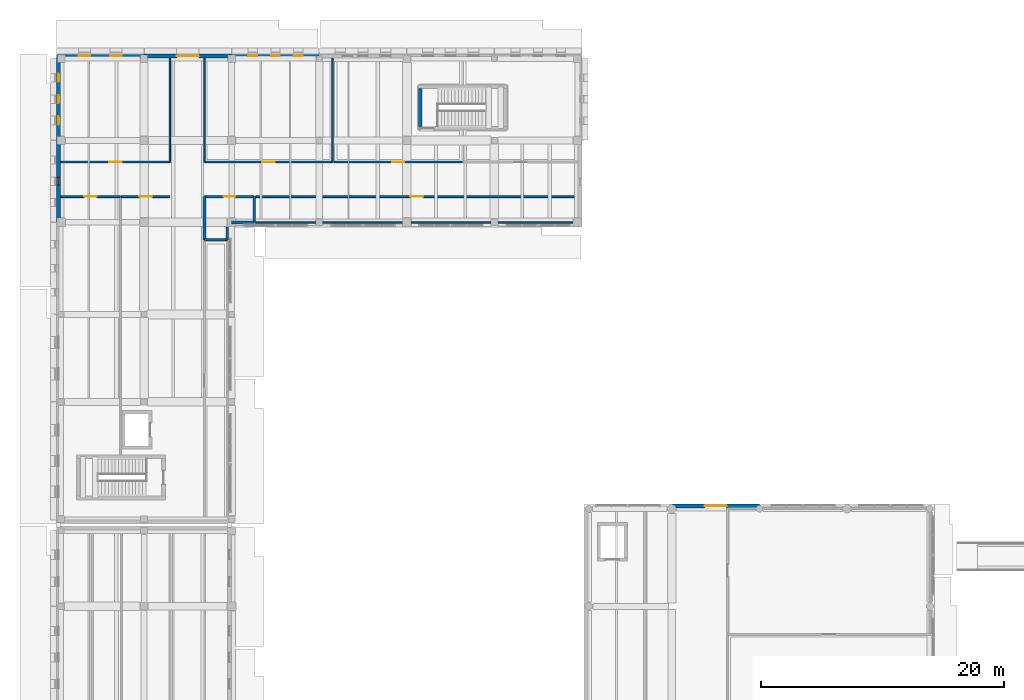
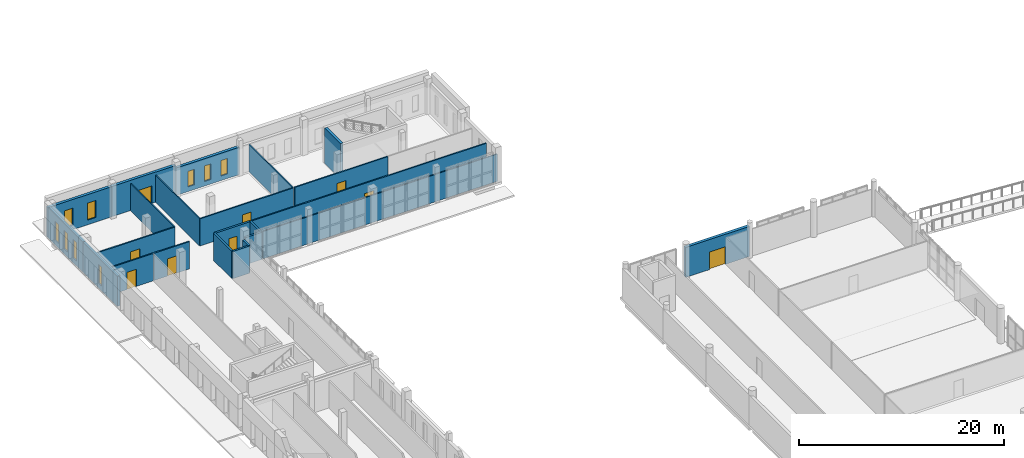
# One storey, part 57 of 77: 23 walls, 9 doors, 9 windows, 18 openings.
"""IFC4 building model written with IfcOpenShell, lengths in metres."""

from ifc_helpers import new_model, si_unit, direction, frame, frame_2d, origin, place, context, subcontext, project, spatial, rectangle, extrude, material, layer, layer_set, type_object, element, fill, save


model = new_model("IFC4")

# Units and contexts
model_context = context("Model", 3, precision=1e-05, world=origin(), true_north=direction((0.0, 1.0)))
body_context = subcontext(model_context, "Body", "Model", "MODEL_VIEW")
ifc_project = project(units=[si_unit("LENGTHUNIT", "METRE"), si_unit("AREAUNIT", "SQUARE_METRE"), si_unit("VOLUMEUNIT", "CUBIC_METRE"), si_unit("PLANEANGLEUNIT", "RADIAN"), si_unit("MASSUNIT", "GRAM", prefix="KILO")], contexts=[model_context])

# Site, building, storey
site_placement = place(None, origin())
site = spatial("IfcSite", under=ifc_project, at=site_placement, CompositionType="ELEMENT")
building_placement = place(site_placement, origin())
building = spatial("IfcBuilding", under=site, at=building_placement, Name="Vardoun Plaza Health Centre", CompositionType="ELEMENT")
storey_placement = place(building_placement, origin())
storey = spatial("IfcBuildingStorey", under=building, at=storey_placement, Name="L00", CompositionType="ELEMENT", Elevation=0.0)

# Wall
ifc_material_1 = material(Name="Concrete C40/50", Category="concrete")
ifc_layer_1 = layer(ifc_material_1, 0.300048828125)
ifc_layer_set_1 = layer_set([ifc_layer_1], Name="Concrete C40/50")
wall_type_1 = type_object("IfcWallType", Name="SW-01", PredefinedType="SHEAR", material=ifc_layer_set_1)
wall_1_placement = place(storey_placement, frame((34.39990234375, 109.35009765625, 0.0), z_axis=(0.0, 0.0, 1.0), x_axis=(0.0, 1.0, 0.0)))
element("IfcWall", 1, at=wall_1_placement, inside=storey, type_object=wall_type_1, Name="Core C4 L00 Shear Wall W", PredefinedType="SHEAR", context=body_context, shape_type="SweptSolid", body=[
    extrude(rectangle(XDim=3.099853515625, YDim=0.300048828125, at=frame_2d((1.5498046875, 0.0))), origin(), (0.0, 0.0, 1.0), 4.235107421875),
])

# Wall, openings, windows
ifc_material_2 = material(Name="Pale Limestone Concrete C35/45", Category="masonry")
ifc_layer_2 = layer(ifc_material_2, 0.31494140625)
ifc_layer_set_2 = layer_set([ifc_layer_2], Name="Pale Limestone Concrete C35/45")
wall_type_2 = type_object("IfcWallType", Name="EW-03", PredefinedType="SOLIDWALL", material=ifc_layer_set_2)
wall_2_placement = place(storey_placement, frame((4.5, 115.142578125, 0.0), z_axis=(0.0, 0.0, 1.0), x_axis=(1.0, 0.0, 0.0)))
wall_2 = element("IfcWall", 2, at=wall_2_placement, inside=storey, type_object=wall_type_2, Name="V3 L00 Exterior Wall EW-V3-244", PredefinedType="SOLIDWALL", context=body_context, shape_type="SweptSolid", body=[
    extrude(rectangle(XDim=7.199951171875, YDim=0.31494140625, at=frame_2d((3.60009765625, 0.0))), origin(), (0.0, 0.0, 1.0), 3.60009765625),
])
opening_1_placement = place(wall_2_placement, frame((1.8291015625, 0.0, 0.550048828125)))
opening_1 = element("IfcOpeningElement", 3, at=opening_1_placement, cuts=wall_2, Name="Opening W-36-002", PredefinedType="OPENING", context=body_context, shape_type="SweptSolid", body=[
    extrude(rectangle(XDim=0.949951171875, YDim=2.02001953125, at=frame_2d((0.47509765625, 1.010009765625))), frame((0.0, 0.157470703125, 0.0), z_axis=(0.0, -1.0, 0.0), x_axis=(1.0, 0.0, 0.0)), (0.0, 0.0, 1.0), 0.31494140625),
])
opening_2_placement = place(wall_2_placement, frame((4.4208984375, 0.0, 0.550048828125)))
opening_2 = element("IfcOpeningElement", 4, at=opening_2_placement, cuts=wall_2, Name="Opening W-36-003", PredefinedType="OPENING", context=body_context, shape_type="SweptSolid", body=[
    extrude(rectangle(XDim=0.949951171875, YDim=2.02001953125, at=frame_2d((0.47509765625, 1.010009765625))), frame((0.0, 0.157470703125, 0.0), z_axis=(0.0, -1.0, 0.0), x_axis=(1.0, 0.0, 0.0)), (0.0, 0.0, 1.0), 0.31494140625),
])
ifc_material_3 = material(Name="Aluminium Alloy EN AW-6063-T6 and Low-E Glass", Category="aluminium")
window_type_1 = type_object("IfcWindowType", Name="W-36", PartitioningType="DOUBLE_PANEL_VERTICAL", PredefinedType="WINDOW", material=ifc_material_3)
window_1_placement = place(opening_1_placement, origin())
window_1 = element("IfcWindow", 5, at=window_1_placement, inside=storey, type_object=window_type_1, Name="V3 L00 Deep-Punched Slot Window W-36-354", OverallHeight=2.02001953125, OverallWidth=0.949951171875, PartitioningType="DOUBLE_PANEL_VERTICAL", PredefinedType="WINDOW", context=body_context, shape_type="SweptSolid", body=[
    extrude(rectangle(XDim=0.949951171875, YDim=2.02001953125, at=frame_2d((0.47509765625, 1.010009765625))), frame((0.0, 0.030029296875, 0.0), z_axis=(0.0, -1.0, 0.0), x_axis=(1.0, 0.0, 0.0)), (0.0, 0.0, 1.0), 0.06005859375),
])
fill(opening_1, window_1)
window_2_placement = place(opening_2_placement, origin())
window_2 = element("IfcWindow", 6, at=window_2_placement, inside=storey, type_object=window_type_1, Name="V3 L00 Deep-Punched Slot Window W-36-355", OverallHeight=2.02001953125, OverallWidth=0.949951171875, PartitioningType="DOUBLE_PANEL_VERTICAL", PredefinedType="WINDOW", context=body_context, shape_type="SweptSolid", body=[
    extrude(rectangle(XDim=0.949951171875, YDim=2.02001953125, at=frame_2d((0.47509765625, 1.010009765625))), frame((0.0, 0.030029296875, 0.0), z_axis=(0.0, -1.0, 0.0), x_axis=(1.0, 0.0, 0.0)), (0.0, 0.0, 1.0), 0.06005859375),
])
fill(opening_2, window_2)

# Wall, opening, door
wall_3_placement = place(storey_placement, frame((11.699951171875, 115.142578125, 0.0), z_axis=(0.0, 0.0, 1.0), x_axis=(1.0, 0.0, 0.0)))
wall_3 = element("IfcWall", 7, at=wall_3_placement, inside=storey, type_object=wall_type_2, Name="V3 L00 Exterior Wall EW-V3-245", PredefinedType="SOLIDWALL", context=body_context, shape_type="SweptSolid", body=[
    extrude(rectangle(XDim=7.199951171875, YDim=0.31494140625, at=frame_2d((3.60009765625, 0.0))), origin(), (0.0, 0.0, 1.0), 3.60009765625),
])
opening_3_placement = place(wall_3_placement, frame((2.699951171875, 0.0, 0.0)))
opening_3 = element("IfcOpeningElement", 8, at=opening_3_placement, cuts=wall_3, Name="Opening D-00-E05", PredefinedType="OPENING", context=body_context, shape_type="SweptSolid", body=[
    extrude(rectangle(XDim=1.800048828125, YDim=2.10009765625, at=frame_2d((0.89990234375, 1.050048828125))), frame((0.0, 0.157470703125, 0.0), z_axis=(0.0, -1.0, 0.0), x_axis=(1.0, 0.0, 0.0)), (0.0, 0.0, 1.0), 0.31494140625),
])
ifc_material_4 = material(Name="Aluminium Alloy EN AW-6063-T6 Glazed Exit Door", Category="aluminium")
door_type_1 = type_object("IfcDoorType", Name="ED-01", OperationType="DOUBLE_DOOR_SINGLE_SWING", PredefinedType="DOOR", material=ifc_material_4)
door_1_placement = place(opening_3_placement, origin())
door_1 = element("IfcDoor", 9, at=door_1_placement, inside=storey, type_object=door_type_1, Name="V3 Ground Final Exit Door D-00-E05", OperationType="DOUBLE_DOOR_SINGLE_SWING", OverallHeight=2.10009765625, OverallWidth=1.800048828125, PredefinedType="DOOR", context=body_context, shape_type="SweptSolid", body=[
    extrude(rectangle(XDim=1.800048828125, YDim=2.10009765625, at=frame_2d((0.89990234375, 1.050048828125))), frame((0.0, 0.02490234375, 0.0), z_axis=(0.0, -1.0, 0.0), x_axis=(1.0, 0.0, 0.0)), (0.0, 0.0, 1.0), 0.050048828125),
])
fill(opening_3, door_1)

# Wall, openings, windows
wall_4_placement = place(storey_placement, frame((18.89990234375, 115.142578125, 0.0), z_axis=(0.0, 0.0, 1.0), x_axis=(1.0, 0.0, 0.0)))
wall_4 = element("IfcWall", 10, at=wall_4_placement, inside=storey, type_object=wall_type_2, Name="V3 L00 Exterior Wall EW-V3-246", PredefinedType="SOLIDWALL", context=body_context, shape_type="SweptSolid", body=[
    extrude(rectangle(XDim=7.2001953125, YDim=0.31494140625, at=frame_2d((3.60009765625, 0.0))), origin(), (0.0, 0.0, 1.0), 3.27001953125),
])
opening_4_placement = place(wall_4_placement, frame((1.367919921875, 0.0, 0.550048828125)))
opening_4 = element("IfcOpeningElement", 11, at=opening_4_placement, cuts=wall_4, Name="Opening W-26-014", PredefinedType="OPENING", context=body_context, shape_type="SweptSolid", body=[
    extrude(rectangle(XDim=0.719970703125, YDim=1.85009765625, at=frame_2d((0.35986328125, 0.925048828125))), frame((0.0, 0.157470703125, 0.0), z_axis=(0.0, -1.0, 0.0), x_axis=(1.0, 0.0, 0.0)), (0.0, 0.0, 1.0), 0.31494140625),
])
opening_5_placement = place(wall_4_placement, frame((3.239990234375, 0.0, 0.550048828125)))
opening_5 = element("IfcOpeningElement", 12, at=opening_5_placement, cuts=wall_4, Name="Opening W-26-015", PredefinedType="OPENING", context=body_context, shape_type="SweptSolid", body=[
    extrude(rectangle(XDim=0.719970703125, YDim=1.85009765625, at=frame_2d((0.35986328125, 0.925048828125))), frame((0.0, 0.157470703125, 0.0), z_axis=(0.0, -1.0, 0.0), x_axis=(1.0, 0.0, 0.0)), (0.0, 0.0, 1.0), 0.31494140625),
])
opening_6_placement = place(wall_4_placement, frame((5.112060546875, 0.0, 0.550048828125)))
opening_6 = element("IfcOpeningElement", 13, at=opening_6_placement, cuts=wall_4, Name="Opening W-26-016", PredefinedType="OPENING", context=body_context, shape_type="SweptSolid", body=[
    extrude(rectangle(XDim=0.719970703125, YDim=1.85009765625, at=frame_2d((0.35986328125, 0.925048828125))), frame((0.0, 0.157470703125, 0.0), z_axis=(0.0, -1.0, 0.0), x_axis=(1.0, 0.0, 0.0)), (0.0, 0.0, 1.0), 0.31494140625),
])
ifc_material_5 = material(Name="Aluminium Alloy EN AW-6063-T6 and Low-E Glass", Category="aluminium")
window_type_2 = type_object("IfcWindowType", Name="W-26", PartitioningType="SINGLE_PANEL", PredefinedType="WINDOW", material=ifc_material_5)
window_3_placement = place(opening_4_placement, origin())
window_3 = element("IfcWindow", 14, at=window_3_placement, inside=storey, type_object=window_type_2, Name="V3 L00 Deep-Punched Slot Window W-26-356", OverallHeight=1.85009765625, OverallWidth=0.719970703125, PartitioningType="SINGLE_PANEL", PredefinedType="WINDOW", context=body_context, shape_type="SweptSolid", body=[
    extrude(rectangle(XDim=0.719970703125, YDim=1.85009765625, at=frame_2d((0.35986328125, 0.925048828125))), frame((0.0, 0.030029296875, 0.0), z_axis=(0.0, -1.0, 0.0), x_axis=(1.0, 0.0, 0.0)), (0.0, 0.0, 1.0), 0.06005859375),
])
fill(opening_4, window_3)
window_4_placement = place(opening_5_placement, origin())
window_4 = element("IfcWindow", 15, at=window_4_placement, inside=storey, type_object=window_type_2, Name="V3 L00 Deep-Punched Slot Window W-26-357", OverallHeight=1.85009765625, OverallWidth=0.719970703125, PartitioningType="SINGLE_PANEL", PredefinedType="WINDOW", context=body_context, shape_type="SweptSolid", body=[
    extrude(rectangle(XDim=0.719970703125, YDim=1.85009765625, at=frame_2d((0.35986328125, 0.925048828125))), frame((0.0, 0.030029296875, 0.0), z_axis=(0.0, -1.0, 0.0), x_axis=(1.0, 0.0, 0.0)), (0.0, 0.0, 1.0), 0.06005859375),
])
fill(opening_5, window_4)
window_5_placement = place(opening_6_placement, origin())
window_5 = element("IfcWindow", 16, at=window_5_placement, inside=storey, type_object=window_type_2, Name="V3 L00 Deep-Punched Slot Window W-26-358", OverallHeight=1.85009765625, OverallWidth=0.719970703125, PartitioningType="SINGLE_PANEL", PredefinedType="WINDOW", context=body_context, shape_type="SweptSolid", body=[
    extrude(rectangle(XDim=0.719970703125, YDim=1.85009765625, at=frame_2d((0.35986328125, 0.925048828125))), frame((0.0, 0.030029296875, 0.0), z_axis=(0.0, -1.0, 0.0), x_axis=(1.0, 0.0, 0.0)), (0.0, 0.0, 1.0), 0.06005859375),
])
fill(opening_6, window_5)

# Wall, opening, window
wall_5_placement = place(storey_placement, frame((4.657470703125, 101.47998046875, 0.0), z_axis=(0.0, 0.0, 1.0), x_axis=(0.0, 1.0, 0.0)))
wall_5 = element("IfcWall", 17, at=wall_5_placement, inside=storey, type_object=wall_type_2, Name="V3 L00 Exterior Wall EW-V3-257", PredefinedType="SOLIDWALL", context=body_context, shape_type="SweptSolid", body=[
    extrude(rectangle(XDim=6.719970703125, YDim=0.31494140625, at=frame_2d((3.35986328125, 0.0))), origin(), (0.0, 0.0, 1.0), 3.60009765625),
])
opening_7_placement = place(wall_5_placement, frame((3.0400390625, 0.0, 0.550048828125)))
opening_7 = element("IfcOpeningElement", 18, at=opening_7_placement, cuts=wall_5, Name="Opening W-12-006", PredefinedType="OPENING", context=body_context, shape_type="SweptSolid", body=[
    extrude(rectangle(XDim=0.639892578125, YDim=2.280029296875, at=frame_2d((0.31982421875, 1.14013671875))), frame((0.0, 0.157470703125, 0.0), z_axis=(0.0, -1.0, 0.0), x_axis=(1.0, 0.0, 0.0)), (0.0, 0.0, 1.0), 0.31494140625),
])
ifc_material_6 = material(Name="Aluminium Alloy EN AW-6063-T6 and Low-E Glass", Category="aluminium")
window_type_3 = type_object("IfcWindowType", Name="W-12", PartitioningType="SINGLE_PANEL", PredefinedType="WINDOW", material=ifc_material_6)
window_6_placement = place(opening_7_placement, origin())
window_6 = element("IfcWindow", 19, at=window_6_placement, inside=storey, type_object=window_type_3, Name="V3 L00 Deep-Punched Slot Window W-12-383", OverallHeight=2.280029296875, OverallWidth=0.639892578125, PartitioningType="SINGLE_PANEL", PredefinedType="WINDOW", context=body_context, shape_type="SweptSolid", body=[
    extrude(rectangle(XDim=0.639892578125, YDim=2.280029296875, at=frame_2d((0.31982421875, 1.14013671875))), frame((0.0, 0.030029296875, 0.0), z_axis=(0.0, -1.0, 0.0), x_axis=(1.0, 0.0, 0.0)), (0.0, 0.0, 1.0), 0.06005859375),
])
fill(opening_7, window_6)

# Wall, openings, windows
wall_6_placement = place(storey_placement, frame((4.657470703125, 108.199951171875, 0.0), z_axis=(0.0, 0.0, 1.0), x_axis=(0.0, 1.0, 0.0)))
wall_6 = element("IfcWall", 20, at=wall_6_placement, inside=storey, type_object=wall_type_2, Name="V3 L00 Exterior Wall EW-V3-258", PredefinedType="SOLIDWALL", context=body_context, shape_type="SweptSolid", body=[
    extrude(rectangle(XDim=6.78515625, YDim=0.31494140625, at=frame_2d((3.392578125, 0.0))), origin(), (0.0, 0.0, 1.0), 3.6201171875),
])
opening_8_placement = place(wall_6_placement, frame((1.288330078125, 0.0, 0.550048828125)))
opening_8 = element("IfcOpeningElement", 21, at=opening_8_placement, cuts=wall_6, Name="Opening W-13-006", PredefinedType="OPENING", context=body_context, shape_type="SweptSolid", body=[
    extrude(rectangle(XDim=0.679931640625, YDim=2.219970703125, at=frame_2d((0.33984375, 1.10986328125))), frame((0.0, 0.157470703125, 0.0), z_axis=(0.0, -1.0, 0.0), x_axis=(1.0, 0.0, 0.0)), (0.0, 0.0, 1.0), 0.31494140625),
])
opening_9_placement = place(wall_6_placement, frame((3.052490234375, 0.0, 0.550048828125)))
opening_9 = element("IfcOpeningElement", 22, at=opening_9_placement, cuts=wall_6, Name="Opening W-13-007", PredefinedType="OPENING", context=body_context, shape_type="SweptSolid", body=[
    extrude(rectangle(XDim=0.679931640625, YDim=2.219970703125, at=frame_2d((0.33984375, 1.10986328125))), frame((0.0, 0.157470703125, 0.0), z_axis=(0.0, -1.0, 0.0), x_axis=(1.0, 0.0, 0.0)), (0.0, 0.0, 1.0), 0.31494140625),
])
opening_10_placement = place(wall_6_placement, frame((4.816650390625, 0.0, 0.550048828125)))
opening_10 = element("IfcOpeningElement", 23, at=opening_10_placement, cuts=wall_6, Name="Opening W-13-008", PredefinedType="OPENING", context=body_context, shape_type="SweptSolid", body=[
    extrude(rectangle(XDim=0.679931640625, YDim=2.219970703125, at=frame_2d((0.33984375, 1.10986328125))), frame((0.0, 0.157470703125, 0.0), z_axis=(0.0, -1.0, 0.0), x_axis=(1.0, 0.0, 0.0)), (0.0, 0.0, 1.0), 0.31494140625),
])
ifc_material_7 = material(Name="Aluminium Alloy EN AW-6063-T6 and Low-E Glass", Category="aluminium")
window_type_4 = type_object("IfcWindowType", Name="W-13", PartitioningType="SINGLE_PANEL", PredefinedType="WINDOW", material=ifc_material_7)
window_7_placement = place(opening_8_placement, origin())
window_7 = element("IfcWindow", 24, at=window_7_placement, inside=storey, type_object=window_type_4, Name="V3 L00 Deep-Punched Slot Window W-13-385", OverallHeight=2.219970703125, OverallWidth=0.679931640625, PartitioningType="SINGLE_PANEL", PredefinedType="WINDOW", context=body_context, shape_type="SweptSolid", body=[
    extrude(rectangle(XDim=0.679931640625, YDim=2.219970703125, at=frame_2d((0.33984375, 1.10986328125))), frame((0.0, 0.030029296875, 0.0), z_axis=(0.0, -1.0, 0.0), x_axis=(1.0, 0.0, 0.0)), (0.0, 0.0, 1.0), 0.06005859375),
])
fill(opening_8, window_7)
window_8_placement = place(opening_9_placement, origin())
window_8 = element("IfcWindow", 25, at=window_8_placement, inside=storey, type_object=window_type_4, Name="V3 L00 Deep-Punched Slot Window W-13-386", OverallHeight=2.219970703125, OverallWidth=0.679931640625, PartitioningType="SINGLE_PANEL", PredefinedType="WINDOW", context=body_context, shape_type="SweptSolid", body=[
    extrude(rectangle(XDim=0.679931640625, YDim=2.219970703125, at=frame_2d((0.33984375, 1.10986328125))), frame((0.0, 0.030029296875, 0.0), z_axis=(0.0, -1.0, 0.0), x_axis=(1.0, 0.0, 0.0)), (0.0, 0.0, 1.0), 0.06005859375),
])
fill(opening_9, window_8)
window_9_placement = place(opening_10_placement, origin())
window_9 = element("IfcWindow", 26, at=window_9_placement, inside=storey, type_object=window_type_4, Name="V3 L00 Deep-Punched Slot Window W-13-387", OverallHeight=2.219970703125, OverallWidth=0.679931640625, PartitioningType="SINGLE_PANEL", PredefinedType="WINDOW", context=body_context, shape_type="SweptSolid", body=[
    extrude(rectangle(XDim=0.679931640625, YDim=2.219970703125, at=frame_2d((0.33984375, 1.10986328125))), frame((0.0, 0.030029296875, 0.0), z_axis=(0.0, -1.0, 0.0), x_axis=(1.0, 0.0, 0.0)), (0.0, 0.0, 1.0), 0.06005859375),
])
fill(opening_10, window_9)

# Wall, opening, door
ifc_material_8 = material(Name="Pale Limestone Concrete C35/45", Category="masonry")
ifc_layer_3 = layer(ifc_material_8, 0.330078125)
ifc_layer_set_3 = layer_set([ifc_layer_3], Name="Pale Limestone Concrete C35/45")
wall_type_3 = type_object("IfcWallType", Name="EW-02", PredefinedType="SOLIDWALL", material=ifc_layer_set_3)
wall_7_placement = place(storey_placement, frame((55.080078125, 78.135009765625, 0.0), z_axis=(0.0, 0.0, 1.0), x_axis=(1.0, 0.0, 0.0)))
wall_7 = element("IfcWall", 27, at=wall_7_placement, inside=storey, type_object=wall_type_3, Name="V1 L00 Exterior Wall EW-V1-019", PredefinedType="SOLIDWALL", context=body_context, shape_type="SweptSolid", body=[
    extrude(rectangle(XDim=7.199951171875, YDim=0.330078125, at=frame_2d((3.60009765625, 0.0))), origin(), (0.0, 0.0, 1.0), 3.5849609375),
])
opening_11_placement = place(wall_7_placement, frame((2.699951171875, 0.0, 0.0)))
opening_11 = element("IfcOpeningElement", 28, at=opening_11_placement, cuts=wall_7, Name="Opening D-00-E01", PredefinedType="OPENING", context=body_context, shape_type="SweptSolid", body=[
    extrude(rectangle(XDim=1.800048828125, YDim=2.10009765625, at=frame_2d((0.89990234375, 1.050048828125))), frame((0.0, 0.1650390625, 0.0), z_axis=(0.0, -1.0, 0.0), x_axis=(1.0, 0.0, 0.0)), (0.0, 0.0, 1.0), 0.330078125),
])
door_2_placement = place(opening_11_placement, origin())
door_2 = element("IfcDoor", 29, at=door_2_placement, inside=storey, type_object=door_type_1, Name="V1 Ground Final Exit Door D-00-E01", OperationType="DOUBLE_DOOR_SINGLE_SWING", OverallHeight=2.10009765625, OverallWidth=1.800048828125, PredefinedType="DOOR", context=body_context, shape_type="SweptSolid", body=[
    extrude(rectangle(XDim=1.800048828125, YDim=2.10009765625, at=frame_2d((0.89990234375, 1.050048828125))), frame((0.0, 0.02490234375, 0.0), z_axis=(0.0, -1.0, 0.0), x_axis=(1.0, 0.0, 0.0)), (0.0, 0.0, 1.0), 0.050048828125),
])
fill(opening_11, door_2)

ifc_material_9 = material(Name="Acoustic Gypsum Twin-Stud", Category="steel")
ifc_layer_4 = layer(ifc_material_9, 0.14990234375)
ifc_layer_set_4 = layer_set([ifc_layer_4], Name="Acoustic Gypsum Twin-Stud")
wall_type_4 = type_object("IfcWallType", Name="IW-04", PredefinedType="PARTITIONING", material=ifc_layer_set_4)
wall_8_placement = place(storey_placement, frame((4.85009765625, 103.580078125, 0.0), z_axis=(0.0, 0.0, 1.0), x_axis=(1.0, 0.0, 0.0)))
wall_8 = element("IfcWall", 30, at=wall_8_placement, inside=storey, type_object=wall_type_4, Name="Paediatric Consulting Room 01 Partition Wall", PredefinedType="PARTITIONING", context=body_context, shape_type="SweptSolid", body=[
    extrude(rectangle(XDim=4.909912109375, YDim=0.14990234375, at=frame_2d((2.455078125, 0.0))), origin(), (0.0, 0.0, 1.0), 3.2548828125),
])
opening_12_placement = place(wall_8_placement, frame((1.93505859375, 0.0, 0.0)))
opening_12 = element("IfcOpeningElement", 31, at=opening_12_placement, cuts=wall_8, Name="Opening D-L00-080", PredefinedType="OPENING", context=body_context, shape_type="SweptSolid", body=[
    extrude(rectangle(XDim=1.0400390625, YDim=2.050048828125, at=frame_2d((0.52001953125, 1.02490234375))), frame((0.0, 0.074951171875, 0.0), z_axis=(0.0, -1.0, 0.0), x_axis=(1.0, 0.0, 0.0)), (0.0, 0.0, 1.0), 0.14990234375),
])
ifc_material_10 = material(Name="Antimicrobial Acoustic Timber and Steel S275JR", Category="steel")
door_type_2 = type_object("IfcDoorType", Name="CD-04", OperationType="NOTDEFINED", PredefinedType="DOOR", material=ifc_material_10)
door_3_placement = place(opening_12_placement, origin())
door_3 = element("IfcDoor", 32, at=door_3_placement, inside=storey, type_object=door_type_2, Name="Paediatric Consulting Room 01 Door D-L00-080", OperationType="SINGLE_SWING_RIGHT", OverallHeight=2.050048828125, OverallWidth=1.0400390625, PredefinedType="DOOR", context=body_context, shape_type="SweptSolid", body=[
    extrude(rectangle(XDim=1.0400390625, YDim=2.050048828125, at=frame_2d((0.52001953125, 1.02490234375))), frame((0.0, 0.02490234375, 0.0), z_axis=(0.0, -1.0, 0.0), x_axis=(1.0, 0.0, 0.0)), (0.0, 0.0, 1.0), 0.050048828125),
])
fill(opening_12, door_3)

wall_9_placement = place(storey_placement, frame((27.18505859375, 106.419921875, 0.0), z_axis=(0.0, 0.0, 1.0), x_axis=(-1.0, 0.0, 0.0)))
wall_9 = element("IfcWall", 33, at=wall_9_placement, inside=storey, type_object=wall_type_4, Name="Paediatric Consulting Room 02 Partition Wall", PredefinedType="PARTITIONING", context=body_context, shape_type="SweptSolid", body=[
    extrude(rectangle(XDim=10.51513671875, YDim=0.14990234375, at=frame_2d((5.257568359375, 0.0))), origin(), (0.0, 0.0, 1.0), 3.2548828125),
])
opening_13_placement = place(wall_9_placement, frame((4.757568359375, 0.0, 0.0)))
opening_13 = element("IfcOpeningElement", 34, at=opening_13_placement, cuts=wall_9, Name="Opening D-L00-081", PredefinedType="OPENING", context=body_context, shape_type="SweptSolid", body=[
    extrude(rectangle(XDim=1.0, YDim=2.050048828125, at=frame_2d((0.5, 1.02490234375))), frame((0.0, 0.074951171875, 0.0), z_axis=(0.0, -1.0, 0.0), x_axis=(1.0, 0.0, 0.0)), (0.0, 0.0, 1.0), 0.14990234375),
])
ifc_material_11 = material(Name="Antimicrobial Acoustic Timber and Steel S275JR", Category="steel")
door_type_3 = type_object("IfcDoorType", Name="CD-03", OperationType="NOTDEFINED", PredefinedType="DOOR", material=ifc_material_11)
door_4_placement = place(opening_13_placement, origin())
door_4 = element("IfcDoor", 35, at=door_4_placement, inside=storey, type_object=door_type_3, Name="Paediatric Consulting Room 02 Door D-L00-081", OperationType="SINGLE_SWING_LEFT", OverallHeight=2.050048828125, OverallWidth=1.0, PredefinedType="DOOR", context=body_context, shape_type="SweptSolid", body=[
    extrude(rectangle(XDim=1.0, YDim=2.050048828125, at=frame_2d((0.5, 1.02490234375))), frame((0.0, 0.02490234375, 0.0), z_axis=(0.0, -1.0, 0.0), x_axis=(1.0, 0.0, 0.0)), (0.0, 0.0, 1.0), 0.050048828125),
])
fill(opening_13, door_4)

wall_10_placement = place(storey_placement, frame((9.840087890625, 103.580078125, 0.0), z_axis=(0.0, 0.0, 1.0), x_axis=(1.0, 0.0, 0.0)))
wall_10 = element("IfcWall", 36, at=wall_10_placement, inside=storey, type_object=wall_type_4, Name="Paediatric Consulting Room 03 Partition Wall", PredefinedType="PARTITIONING", context=body_context, shape_type="SweptSolid", body=[
    extrude(rectangle(XDim=3.989990234375, YDim=0.14990234375, at=frame_2d((1.9951171875, 0.0))), origin(), (0.0, 0.0, 1.0), 3.2548828125),
])
opening_14_placement = place(wall_10_placement, frame((1.47509765625, 0.0, 0.0)))
opening_14 = element("IfcOpeningElement", 37, at=opening_14_placement, cuts=wall_10, Name="Opening D-L00-082", PredefinedType="OPENING", context=body_context, shape_type="SweptSolid", body=[
    extrude(rectangle(XDim=1.0400390625, YDim=2.050048828125, at=frame_2d((0.52001953125, 1.02490234375))), frame((0.0, 0.074951171875, 0.0), z_axis=(0.0, -1.0, 0.0), x_axis=(1.0, 0.0, 0.0)), (0.0, 0.0, 1.0), 0.14990234375),
])
door_5_placement = place(opening_14_placement, origin())
door_5 = element("IfcDoor", 38, at=door_5_placement, inside=storey, type_object=door_type_2, Name="Paediatric Consulting Room 03 Door D-L00-082", OperationType="SINGLE_SWING_RIGHT", OverallHeight=2.050048828125, OverallWidth=1.0400390625, PredefinedType="DOOR", context=body_context, shape_type="SweptSolid", body=[
    extrude(rectangle(XDim=1.0400390625, YDim=2.050048828125, at=frame_2d((0.52001953125, 1.02490234375))), frame((0.0, 0.02490234375, 0.0), z_axis=(0.0, -1.0, 0.0), x_axis=(1.0, 0.0, 0.0)), (0.0, 0.0, 1.0), 0.050048828125),
])
fill(opening_14, door_5)

wall_11_placement = place(storey_placement, frame((37.860107421875, 106.419921875, 0.0), z_axis=(0.0, 0.0, 1.0), x_axis=(-1.0, 0.0, 0.0)))
wall_11 = element("IfcWall", 39, at=wall_11_placement, inside=storey, type_object=wall_type_4, Name="Child Immunisation Room Partition Wall", PredefinedType="PARTITIONING", context=body_context, shape_type="SweptSolid", body=[
    extrude(rectangle(XDim=10.51513671875, YDim=0.14990234375, at=frame_2d((5.257568359375, 0.0))), origin(), (0.0, 0.0, 1.0), 3.2548828125),
])
opening_15_placement = place(wall_11_placement, frame((4.757568359375, 0.0, 0.0)))
opening_15 = element("IfcOpeningElement", 40, at=opening_15_placement, cuts=wall_11, Name="Opening D-L00-083", PredefinedType="OPENING", context=body_context, shape_type="SweptSolid", body=[
    extrude(rectangle(XDim=1.0, YDim=2.050048828125, at=frame_2d((0.5, 1.02490234375))), frame((0.0, 0.074951171875, 0.0), z_axis=(0.0, -1.0, 0.0), x_axis=(1.0, 0.0, 0.0)), (0.0, 0.0, 1.0), 0.14990234375),
])
door_6_placement = place(opening_15_placement, origin())
door_6 = element("IfcDoor", 41, at=door_6_placement, inside=storey, type_object=door_type_3, Name="Child Immunisation Room Door D-L00-083", OperationType="SINGLE_SWING_RIGHT", OverallHeight=2.050048828125, OverallWidth=1.0, PredefinedType="DOOR", context=body_context, shape_type="SweptSolid", body=[
    extrude(rectangle(XDim=1.0, YDim=2.050048828125, at=frame_2d((0.5, 1.02490234375))), frame((0.0, 0.02490234375, 0.0), z_axis=(0.0, -1.0, 0.0), x_axis=(1.0, 0.0, 0.0)), (0.0, 0.0, 1.0), 0.050048828125),
])
fill(opening_15, door_6)

wall_12_placement = place(storey_placement, frame((13.830078125, 106.419921875, 0.0), z_axis=(0.0, 0.0, 1.0), x_axis=(-1.0, 0.0, 0.0)))
wall_12 = element("IfcWall", 42, at=wall_12_placement, inside=storey, type_object=wall_type_4, Name="Family Waiting Lounge L00 Partition Wall", PredefinedType="PARTITIONING", context=body_context, shape_type="SweptSolid", body=[
    extrude(rectangle(XDim=8.97998046875, YDim=0.14990234375, at=frame_2d((4.489990234375, 0.0))), origin(), (0.0, 0.0, 1.0), 3.2548828125),
])
opening_16_placement = place(wall_12_placement, frame((3.969970703125, 0.0, 0.0)))
opening_16 = element("IfcOpeningElement", 43, at=opening_16_placement, cuts=wall_12, Name="Opening D-L00-084", PredefinedType="OPENING", context=body_context, shape_type="SweptSolid", body=[
    extrude(rectangle(XDim=1.0400390625, YDim=2.050048828125, at=frame_2d((0.52001953125, 1.02490234375))), frame((0.0, 0.074951171875, 0.0), z_axis=(0.0, -1.0, 0.0), x_axis=(1.0, 0.0, 0.0)), (0.0, 0.0, 1.0), 0.14990234375),
])
door_7_placement = place(opening_16_placement, origin())
door_7 = element("IfcDoor", 44, at=door_7_placement, inside=storey, type_object=door_type_2, Name="Family Waiting Lounge L00 Door D-L00-084", OperationType="SINGLE_SWING_RIGHT", OverallHeight=2.050048828125, OverallWidth=1.0400390625, PredefinedType="DOOR", context=body_context, shape_type="SweptSolid", body=[
    extrude(rectangle(XDim=1.0400390625, YDim=2.050048828125, at=frame_2d((0.52001953125, 1.02490234375))), frame((0.0, 0.02490234375, 0.0), z_axis=(0.0, -1.0, 0.0), x_axis=(1.0, 0.0, 0.0)), (0.0, 0.0, 1.0), 0.050048828125),
])
fill(opening_16, door_7)

wall_13_placement = place(storey_placement, frame((20.8935546875, 103.580078125, 0.0), z_axis=(0.0, 0.0, 1.0), x_axis=(1.0, 0.0, 0.0)))
wall_13 = element("IfcWall", 45, at=wall_13_placement, inside=storey, type_object=wall_type_4, Name="Paediatric Consulting Room 01 A Partition Wall", PredefinedType="PARTITIONING", context=body_context, shape_type="SweptSolid", body=[
    extrude(rectangle(XDim=26.45654296875, YDim=0.14990234375, at=frame_2d((13.228271484375, 0.0))), origin(), (0.0, 0.0, 1.0), 3.2548828125),
])
opening_17_placement = place(wall_13_placement, frame((12.708251953125, 0.0, 0.0)))
opening_17 = element("IfcOpeningElement", 46, at=opening_17_placement, cuts=wall_13, Name="Opening D-L00-086", PredefinedType="OPENING", context=body_context, shape_type="SweptSolid", body=[
    extrude(rectangle(XDim=1.0400390625, YDim=2.050048828125, at=frame_2d((0.52001953125, 1.02490234375))), frame((0.0, 0.074951171875, 0.0), z_axis=(0.0, -1.0, 0.0), x_axis=(1.0, 0.0, 0.0)), (0.0, 0.0, 1.0), 0.14990234375),
])
door_8_placement = place(opening_17_placement, origin())
door_8 = element("IfcDoor", 47, at=door_8_placement, inside=storey, type_object=door_type_2, Name="Paediatric Consulting Room 01 A Door D-L00-086", OperationType="SINGLE_SWING_RIGHT", OverallHeight=2.050048828125, OverallWidth=1.0400390625, PredefinedType="DOOR", context=body_context, shape_type="SweptSolid", body=[
    extrude(rectangle(XDim=1.0400390625, YDim=2.050048828125, at=frame_2d((0.52001953125, 1.02490234375))), frame((0.0, 0.02490234375, 0.0), z_axis=(0.0, -1.0, 0.0), x_axis=(1.0, 0.0, 0.0)), (0.0, 0.0, 1.0), 0.050048828125),
])
fill(opening_17, door_8)

# Walls
ifc_material_12 = material(Name="Standard Clinical Sub-Partition", Category="steel")
ifc_layer_5 = layer(ifc_material_12, 0.125)
ifc_layer_set_5 = layer_set([ifc_layer_5], Name="Standard Clinical Sub-Partition")
wall_type_5 = type_object("IfcWallType", Name="IW-11", PredefinedType="PARTITIONING", material=ifc_layer_set_5)
for number, where, z_axis, x_axis, name in (
    (48, (27.18505859375, 114.949951171875, 0.0), (0.0, 0.0, 1.0), (0.0, -1.0, 0.0), "Paediatric Consulting Room 02 Enclosure Partition"),
    (49, (16.669921875, 106.419921875, 0.0), (0.0, 0.0, 1.0), (0.0, 1.0, 0.0), "Paediatric Consulting Room 02 Enclosure Partition"),
    (50, (13.830078125, 114.949951171875, 0.0), (0.0, 0.0, 1.0), (0.0, -1.0, 0.0), "Family Waiting Lounge L00 Enclosure Partition"),
):
    element("IfcWall", number, at=place(storey_placement, frame(where, z_axis=z_axis, x_axis=x_axis)), inside=storey, type_object=wall_type_5, Name=name, PredefinedType="PARTITIONING", context=body_context, shape_type="SweptSolid", body=[
        extrude(rectangle(XDim=8.530029296875, YDim=0.125, at=frame_2d((4.26513671875, 0.0))), origin(), (0.0, 0.0, 1.0), 3.2548828125),
    ])
wall_14_placement = place(storey_placement, frame((47.35009765625, 101.449951171875, 0.0), z_axis=(0.0, 0.0, 1.0), x_axis=(-1.0, 0.0, 0.0)))
element("IfcWall", 51, at=wall_14_placement, inside=storey, type_object=wall_type_5, Name="Paediatric Consulting Room 01 A Enclosure Partition", PredefinedType="PARTITIONING", context=body_context, shape_type="SweptSolid", body=[
    extrude(rectangle(XDim=26.45654296875, YDim=0.125, at=frame_2d((13.228271484375, 0.0))), origin(), (0.0, 0.0, 1.0), 3.2548828125),
])

# Wall, opening, door
ifc_material_13 = material(Name="Moisture-Resistant Plumbing Chase", Category="steel")
ifc_layer_6 = layer(ifc_material_13, 0.215087890625)
ifc_layer_set_6 = layer_set([ifc_layer_6], Name="Moisture-Resistant Plumbing Chase")
wall_type_6 = type_object("IfcWallType", Name="IW-06", PredefinedType="PLUMBINGWALL", material=ifc_layer_set_6)
wall_15_placement = place(storey_placement, frame((16.669921875, 103.580078125, 0.0), z_axis=(0.0, 0.0, 1.0), x_axis=(1.0, 0.0, 0.0)))
wall_15 = element("IfcWall", 52, at=wall_15_placement, inside=storey, type_object=wall_type_6, Name="Accessible WC L00-V3 Partition Wall", PredefinedType="PLUMBINGWALL", context=body_context, shape_type="SweptSolid", body=[
    extrude(rectangle(XDim=4.08349609375, YDim=0.215087890625, at=frame_2d((2.041748046875, 0.0))), origin(), (0.0, 0.0, 1.0), 3.2548828125),
])
opening_18_placement = place(wall_15_placement, frame((1.566650390625, 0.0, 0.0)))
opening_18 = element("IfcOpeningElement", 53, at=opening_18_placement, cuts=wall_15, Name="Opening D-L00-079", PredefinedType="OPENING", context=body_context, shape_type="SweptSolid", body=[
    extrude(rectangle(XDim=0.949951171875, YDim=2.050048828125, at=frame_2d((0.47509765625, 1.02490234375))), frame((0.0, 0.107421875, 0.0), z_axis=(0.0, -1.0, 0.0), x_axis=(1.0, 0.0, 0.0)), (0.0, 0.0, 1.0), 0.215087890625),
])
ifc_material_14 = material(Name="Antimicrobial Acoustic Timber and Steel S275JR", Category="steel")
door_type_4 = type_object("IfcDoorType", Name="CD-07", OperationType="NOTDEFINED", PredefinedType="DOOR", material=ifc_material_14)
door_9_placement = place(opening_18_placement, origin())
door_9 = element("IfcDoor", 54, at=door_9_placement, inside=storey, type_object=door_type_4, Name="Accessible WC L00-V3 Door D-L00-079", OperationType="SINGLE_SWING_LEFT", OverallHeight=2.050048828125, OverallWidth=0.949951171875, PredefinedType="DOOR", context=body_context, shape_type="SweptSolid", body=[
    extrude(rectangle(XDim=0.949951171875, YDim=2.050048828125, at=frame_2d((0.47509765625, 1.02490234375))), frame((0.0, 0.02490234375, 0.0), z_axis=(0.0, -1.0, 0.0), x_axis=(1.0, 0.0, 0.0)), (0.0, 0.0, 1.0), 0.050048828125),
])
fill(opening_18, door_9)

# Walls
wall_16_placement = place(storey_placement, frame((18.550048828125, 101.10009765625, 0.0), z_axis=(0.0, 0.0, 1.0), x_axis=(0.0, -1.0, 0.0)))
element("IfcWall", 55, at=wall_16_placement, inside=storey, type_object=wall_type_6, Name="Accessible WC L00-V3 Enclosure Partition", PredefinedType="PLUMBINGWALL", context=body_context, shape_type="SweptSolid", body=[
    extrude(rectangle(XDim=1.071044921875, YDim=0.215087890625, at=frame_2d((0.53564453125, 0.0))), origin(), (0.0, 0.0, 1.0), 3.2548828125),
])
wall_17_placement = place(storey_placement, frame((18.550048828125, 100.029052734375, 0.0), z_axis=(0.0, 0.0, 1.0), x_axis=(-1.0, 0.0, 0.0)))
element("IfcWall", 56, at=wall_17_placement, inside=storey, type_object=wall_type_6, Name="Accessible WC L00-V3 Enclosure Partition", PredefinedType="PLUMBINGWALL", context=body_context, shape_type="SweptSolid", body=[
    extrude(rectangle(XDim=1.880126953125, YDim=0.215087890625, at=frame_2d((0.93994140625, 0.0))), origin(), (0.0, 0.0, 1.0), 3.2548828125),
])
wall_18_placement = place(storey_placement, frame((16.669921875, 100.029052734375, 0.0), z_axis=(0.0, 0.0, 1.0), x_axis=(0.0, 1.0, 0.0)))
element("IfcWall", 57, at=wall_18_placement, inside=storey, type_object=wall_type_6, Name="Accessible WC L00-V3 Enclosure Partition", PredefinedType="PLUMBINGWALL", context=body_context, shape_type="SweptSolid", body=[
    extrude(rectangle(XDim=3.551025390625, YDim=0.215087890625, at=frame_2d((1.775390625, 0.0))), origin(), (0.0, 0.0, 1.0), 3.2548828125),
])
wall_19_placement = place(storey_placement, frame((20.75341796875, 103.580078125, 0.0), z_axis=(0.0, 0.0, 1.0), x_axis=(0.0, -1.0, 0.0)))
element("IfcWall", 58, at=wall_19_placement, inside=storey, type_object=wall_type_6, Name="Accessible WC L00-V3 Enclosure Partition", PredefinedType="PLUMBINGWALL", context=body_context, shape_type="SweptSolid", body=[
    extrude(rectangle(XDim=2.130126953125, YDim=0.215087890625, at=frame_2d((1.06494140625, 0.0))), origin(), (0.0, 0.0, 1.0), 3.2548828125),
])
wall_20_placement = place(storey_placement, frame((20.75341796875, 101.449951171875, 0.0), z_axis=(0.0, 0.0, 1.0), x_axis=(-1.0, 0.0, 0.0)))
element("IfcWall", 59, at=wall_20_placement, inside=storey, type_object=wall_type_6, Name="Accessible WC L00-V3 Enclosure Partition", PredefinedType="PLUMBINGWALL", context=body_context, shape_type="SweptSolid", body=[
    extrude(rectangle(XDim=1.853515625, YDim=0.215087890625, at=frame_2d((0.9267578125, 0.0))), origin(), (0.0, 0.0, 1.0), 3.2548828125),
])

save(model, "model.ifc")
